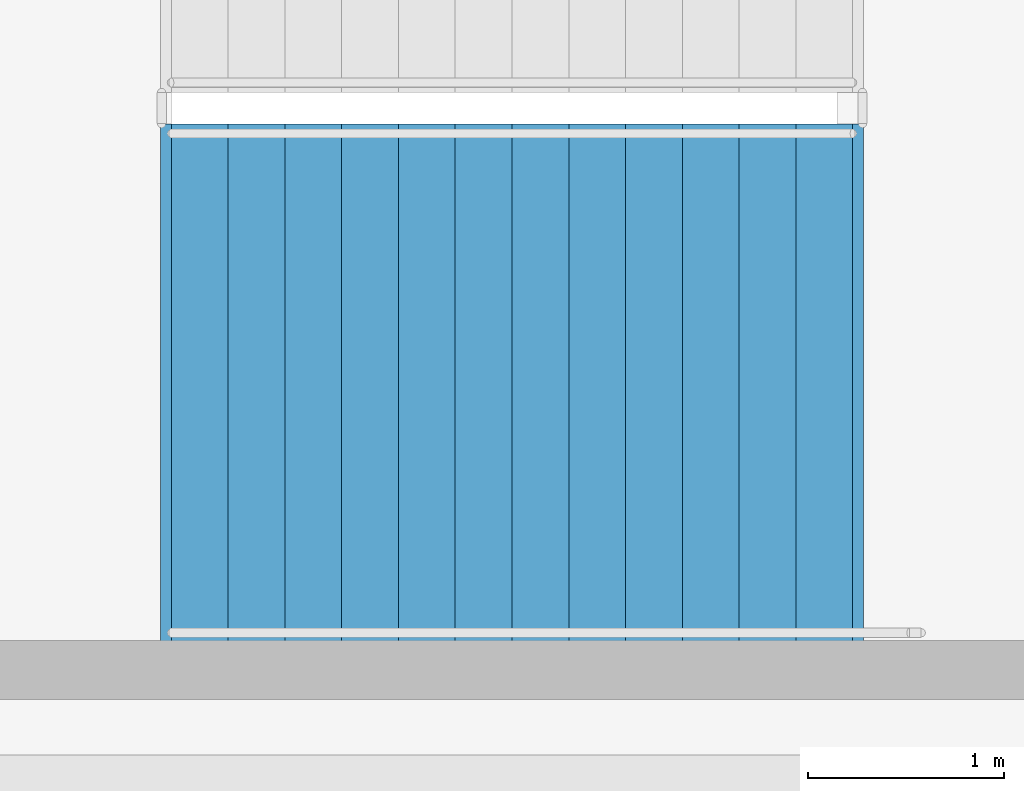
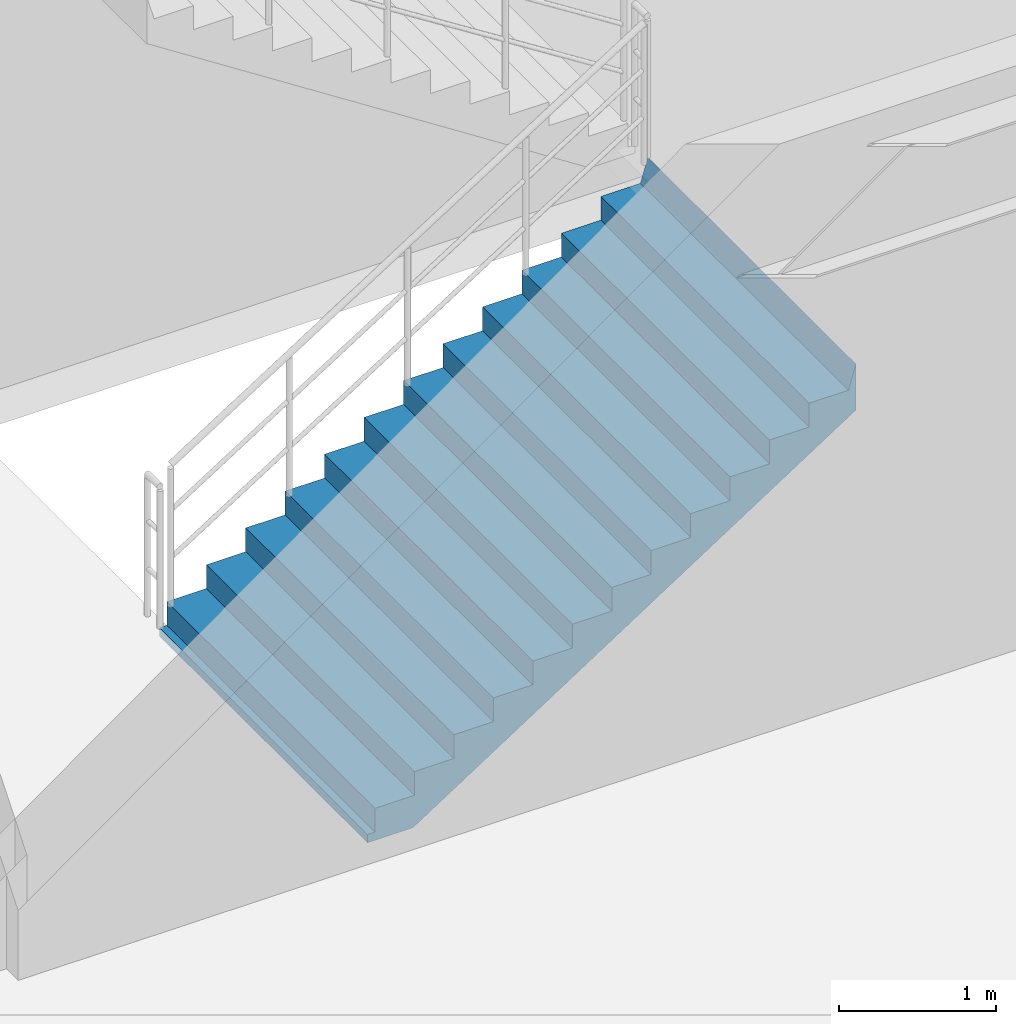
# One storey, part 128 of 144: 1 stair flight, 1 element without a shape of its own.
"""IFC4 building model written with IfcOpenShell, lengths in metres."""

from ifc_helpers import new_model, si_unit, direction, frame, origin, place, context, subcontext, project, spatial, polyline, outline, extrude, material, type_object, element, aggregate, save


model = new_model("IFC4")

# Units and contexts
model_context = context("Model", 3, precision=1e-05, world=origin(), true_north=direction((0.0, 1.0)))
body_context = subcontext(model_context, "Body", "Model", "MODEL_VIEW")
ifc_project = project(units=[si_unit("LENGTHUNIT", "METRE"), si_unit("AREAUNIT", "SQUARE_METRE"), si_unit("VOLUMEUNIT", "CUBIC_METRE"), si_unit("PLANEANGLEUNIT", "RADIAN"), si_unit("MASSUNIT", "GRAM", prefix="KILO")], contexts=[model_context])

# Site, building, storey
site_placement = place(None, origin())
site = spatial("IfcSite", under=ifc_project, at=site_placement, CompositionType="ELEMENT")
building_placement = place(site_placement, origin())
building = spatial("IfcBuilding", under=site, at=building_placement, Name="Cinderbank Siding Concert Hall", CompositionType="ELEMENT")
storey_placement = place(building_placement, frame((0.0, 0.0, 5.39990234375)))
storey = spatial("IfcBuildingStorey", under=building, at=storey_placement, Name="L02", CompositionType="ELEMENT", Elevation=5.39990234375)

# Stair, stair flight
ifc_material = material(Name="Reinforced concrete AS 3600 N50 (50 MPa)", Category="concrete")
stair_type = type_object("IfcStairType", Name="STR-A Dogleg Exit Stair 2650mm", PredefinedType="HALF_TURN_STAIR", material=ifc_material)
stair_placement = place(storey_placement, origin())
stair = element("IfcStair", 1, at=stair_placement, inside=storey, type_object=stair_type, Name="L02 Orchestral Pavilion Exit Stair ST-07", PredefinedType="HALF_TURN_STAIR")
stair_flight_type = type_object("IfcStairFlightType", Name="SFL-A Concrete Stair Flight 2650mm", PredefinedType="STRAIGHT", material=ifc_material)
stair_flight_placement = place(storey_placement, frame((155.14990234375, 112.52490234375, 0.0), z_axis=(0.0, 0.0, 1.0), x_axis=(1.0, 0.0, 0.0)))
stair_flight = element("IfcStairFlight", 2, at=stair_flight_placement, type_object=stair_flight_type, Name="ST-07 flight 1", NumberOfRisers=13, NumberOfTreads=12, PredefinedType="STRAIGHT", RiserHeight=0.184615385, TreadLength=0.29, context=body_context, shape_type="SweptSolid", body=[
    extrude(outline(polyline([(0.0, 0.0), (0.0, 0.1845703125), (0.2900390625, 0.1845703125), (0.2900390625, 0.369140625), (0.580078125, 0.369140625), (0.580078125, 0.553955078125), (0.8701171875, 0.553955078125), (0.8701171875, 0.738525390625), (1.159912109375, 0.738525390625), (1.159912109375, 0.923095703125), (1.449951171875, 0.923095703125), (1.449951171875, 1.107666015625), (1.739990234375, 1.107666015625), (1.739990234375, 1.292236328125), (2.030029296875, 1.292236328125), (2.030029296875, 1.476806640625), (2.320068359375, 1.476806640625), (2.320068359375, 1.66162109375), (2.610107421875, 1.66162109375), (2.610107421875, 1.84619140625), (2.89990234375, 1.84619140625), (2.89990234375, 2.03076171875), (3.18994140625, 2.03076171875), (3.18994140625, 2.21533203125), (3.47998046875, 2.21533203125), (3.534912109375, 2.39990234375), (3.534912109375, 2.03759765625), (3.53466796875, 2.037841796875), (3.53466796875, 2.0380859375), (3.53466796875, 2.038330078125), (3.53466796875, 2.03857421875), (3.53466796875, 2.038818359375), (3.53466796875, 2.0390625), (3.53466796875, 2.039306640625), (3.53466796875, 2.03955078125), (3.53466796875, 2.039794921875), (3.53466796875, 2.0400390625), (3.53466796875, 2.040283203125), (3.53466796875, 2.04052734375), (3.534423828125, 2.04052734375), (3.534423828125, 2.040283203125), (3.534423828125, 2.0400390625), (3.534423828125, 2.039794921875), (3.534423828125, 2.03955078125), (3.534423828125, 2.039306640625), (3.534423828125, 2.0390625), (3.534423828125, 2.038818359375), (3.534423828125, 2.03857421875), (3.534423828125, 2.038330078125), (3.534423828125, 2.0380859375), (3.534423828125, 2.037841796875), (3.534423828125, 2.03759765625), (3.5341796875, 2.037841796875), (3.5341796875, 2.0380859375), (3.5341796875, 2.038330078125), (3.5341796875, 2.03857421875), (3.5341796875, 2.038818359375), (3.5341796875, 2.0390625), (3.5341796875, 2.039306640625), (3.5341796875, 2.03955078125), (3.5341796875, 2.039794921875), (3.5341796875, 2.0400390625), (3.5341796875, 2.040283203125), (3.5341796875, 2.04052734375), (3.533935546875, 2.04052734375), (3.533935546875, 2.040283203125), (3.533935546875, 2.0400390625), (3.533935546875, 2.039794921875), (3.533935546875, 2.03955078125), (3.533935546875, 2.039306640625), (3.533935546875, 2.0390625), (3.533935546875, 2.038818359375), (3.533935546875, 2.03857421875), (3.533935546875, 2.038330078125), (3.533935546875, 2.0380859375), (3.533935546875, 2.037841796875), (3.533935546875, 2.03759765625), (3.53369140625, 2.037841796875), (3.53369140625, 2.0380859375), (3.53369140625, 2.038330078125), (3.53369140625, 2.03857421875), (3.53369140625, 2.038818359375), (3.53369140625, 2.0390625), (3.53369140625, 2.039306640625), (3.53369140625, 2.03955078125), (3.53369140625, 2.039794921875), (3.53369140625, 2.0400390625), (3.53369140625, 2.040283203125), (3.53369140625, 2.04052734375), (3.533447265625, 2.04052734375), (3.533447265625, 2.040283203125), (3.533447265625, 2.0400390625), (3.533447265625, 2.039794921875), (3.533447265625, 2.03955078125), (3.533447265625, 2.039306640625), (3.533447265625, 2.0390625), (3.533447265625, 2.038818359375), (3.533447265625, 2.03857421875), (3.533447265625, 2.038330078125), (3.533447265625, 2.0380859375), (3.533447265625, 2.037841796875), (3.533447265625, 2.03759765625), (3.533203125, 2.037841796875), (3.533203125, 2.0380859375), (3.533203125, 2.038330078125), (3.533203125, 2.03857421875), (3.533203125, 2.038818359375), (3.533203125, 2.0390625), (3.533203125, 2.039306640625), (3.533203125, 2.03955078125), (3.533203125, 2.039794921875), (3.533203125, 2.0400390625), (3.533203125, 2.040283203125), (3.533203125, 2.04052734375), (3.532958984375, 2.04052734375), (3.532958984375, 2.040283203125), (3.532958984375, 2.0400390625), (3.532958984375, 2.039794921875), (3.532958984375, 2.03955078125), (3.532958984375, 2.039306640625), (3.532958984375, 2.0390625), (3.532958984375, 2.038818359375), (3.532958984375, 2.03857421875), (3.532958984375, 2.038330078125), (3.532958984375, 2.0380859375), (3.532958984375, 2.037841796875), (3.532958984375, 2.03759765625), (3.53271484375, 2.037841796875), (3.53271484375, 2.0380859375), (3.53271484375, 2.038330078125), (3.53271484375, 2.03857421875), (3.53271484375, 2.038818359375), (3.53271484375, 2.0390625), (3.53271484375, 2.039306640625), (3.53271484375, 2.03955078125), (3.53271484375, 2.039794921875), (3.53271484375, 2.0400390625), (3.53271484375, 2.040283203125), (3.53271484375, 2.04052734375), (3.532470703125, 2.04052734375), (3.532470703125, 2.040283203125), (3.532470703125, 2.0400390625), (3.532470703125, 2.039794921875), (3.532470703125, 2.03955078125), (3.532470703125, 2.039306640625), (3.532470703125, 2.0390625), (3.532470703125, 2.038818359375), (3.532470703125, 2.03857421875), (3.532470703125, 2.038330078125), (3.532470703125, 2.0380859375), (3.532470703125, 2.037841796875), (3.532470703125, 2.03759765625), (3.5322265625, 2.037841796875), (3.5322265625, 2.0380859375), (3.5322265625, 2.038330078125), (3.5322265625, 2.03857421875), (3.5322265625, 2.038818359375), (3.5322265625, 2.0390625), (3.5322265625, 2.039306640625), (3.5322265625, 2.03955078125), (3.5322265625, 2.039794921875), (3.5322265625, 2.0400390625), (3.5322265625, 2.040283203125), (3.5322265625, 2.04052734375), (3.531982421875, 2.04052734375), (3.531982421875, 2.040283203125), (3.531982421875, 2.0400390625), (3.531982421875, 2.039794921875), (3.531982421875, 2.03955078125), (3.531982421875, 2.039306640625), (3.531982421875, 2.0390625), (3.531982421875, 2.038818359375), (3.531982421875, 2.03857421875), (3.531982421875, 2.038330078125), (3.531982421875, 2.0380859375), (3.531982421875, 2.037841796875), (3.531982421875, 2.03759765625), (3.53173828125, 2.037841796875), (3.53173828125, 2.0380859375), (3.53173828125, 2.038330078125), (3.53173828125, 2.03857421875), (3.53173828125, 2.038818359375), (3.53173828125, 2.0390625), (3.53173828125, 2.039306640625), (3.53173828125, 2.03955078125), (3.53173828125, 2.039794921875), (3.53173828125, 2.0400390625), (3.53173828125, 2.040283203125), (3.53173828125, 2.04052734375), (3.531494140625, 2.04052734375), (3.531494140625, 2.040283203125), (3.531494140625, 2.0400390625), (3.531494140625, 2.039794921875), (3.531494140625, 2.03955078125), (3.531494140625, 2.039306640625), (3.531494140625, 2.0390625), (3.531494140625, 2.038818359375), (3.531494140625, 2.03857421875), (3.531494140625, 2.038330078125), (3.531494140625, 2.0380859375), (3.531494140625, 2.037841796875), (3.531494140625, 2.03759765625), (3.53125, 2.037841796875), (3.53125, 2.0380859375), (3.53125, 2.038330078125), (3.53125, 2.03857421875), (3.53125, 2.038818359375), (3.53125, 2.0390625), (3.53125, 2.039306640625), (3.53125, 2.03955078125), (3.53125, 2.039794921875), (3.53125, 2.0400390625), (3.53125, 2.040283203125), (3.53125, 2.04052734375), (3.531005859375, 2.04052734375), (3.531005859375, 2.040283203125), (3.531005859375, 2.0400390625), (3.531005859375, 2.039794921875), (3.531005859375, 2.03955078125), (3.531005859375, 2.039306640625), (3.531005859375, 2.0390625), (3.531005859375, 2.038818359375), (3.531005859375, 2.03857421875), (3.531005859375, 2.038330078125), (3.531005859375, 2.0380859375), (3.531005859375, 2.037841796875), (3.531005859375, 2.03759765625), (3.53076171875, 2.037841796875), (3.53076171875, 2.0380859375), (3.53076171875, 2.038330078125), (3.53076171875, 2.03857421875), (3.53076171875, 2.038818359375), (3.53076171875, 2.0390625), (3.53076171875, 2.039306640625), (3.53076171875, 2.03955078125), (3.53076171875, 2.039794921875), (3.53076171875, 2.0400390625), (3.53076171875, 2.040283203125), (3.53076171875, 2.04052734375), (3.530517578125, 2.04052734375), (3.530517578125, 2.040283203125), (3.530517578125, 2.0400390625), (3.530517578125, 2.039794921875), (3.530517578125, 2.03955078125), (3.530517578125, 2.039306640625), (3.530517578125, 2.0390625), (3.530517578125, 2.038818359375), (3.530517578125, 2.03857421875), (3.530517578125, 2.038330078125), (3.530517578125, 2.0380859375), (3.530517578125, 2.037841796875), (3.530517578125, 2.03759765625), (3.5302734375, 2.037841796875), (3.5302734375, 2.0380859375), (3.5302734375, 2.038330078125), (3.5302734375, 2.03857421875), (3.5302734375, 2.038818359375), (3.5302734375, 2.0390625), (3.5302734375, 2.039306640625), (3.5302734375, 2.03955078125), (3.5302734375, 2.039794921875), (3.5302734375, 2.0400390625), (3.5302734375, 2.040283203125), (3.5302734375, 2.04052734375), (3.530029296875, 2.04052734375), (3.530029296875, 2.040283203125), (3.530029296875, 2.0400390625), (3.530029296875, 2.039794921875), (3.530029296875, 2.03955078125), (3.530029296875, 2.039306640625), (3.530029296875, 2.0390625), (3.530029296875, 2.038818359375), (3.530029296875, 2.03857421875), (3.530029296875, 2.038330078125), (3.530029296875, 2.0380859375), (3.530029296875, 2.037841796875), (3.530029296875, 2.03759765625), (3.52978515625, 2.037841796875), (3.52978515625, 2.0380859375), (3.52978515625, 2.038330078125), (3.52978515625, 2.03857421875), (3.52978515625, 2.038818359375), (3.52978515625, 2.0390625), (3.52978515625, 2.039306640625), (3.52978515625, 2.03955078125), (3.52978515625, 2.039794921875), (3.52978515625, 2.0400390625), (3.52978515625, 2.040283203125), (3.52978515625, 2.04052734375), (3.529541015625, 2.04052734375), (3.529541015625, 2.040283203125), (3.529541015625, 2.0400390625), (3.529541015625, 2.039794921875), (3.529541015625, 2.03955078125), (3.529541015625, 2.039306640625), (3.529541015625, 2.0390625), (3.529541015625, 2.038818359375), (3.529541015625, 2.03857421875), (3.529541015625, 2.038330078125), (3.529541015625, 2.0380859375), (3.529541015625, 2.037841796875), (3.529541015625, 2.03759765625), (3.529296875, 2.037841796875), (3.529296875, 2.0380859375), (3.529296875, 2.038330078125), (3.529296875, 2.03857421875), (3.529296875, 2.038818359375), (3.529296875, 2.0390625), (3.529296875, 2.039306640625), (3.529296875, 2.03955078125), (3.529296875, 2.039794921875), (3.529296875, 2.0400390625), (3.529296875, 2.040283203125), (3.529296875, 2.04052734375), (3.529052734375, 2.04052734375), (3.529052734375, 2.040283203125), (3.529052734375, 2.0400390625), (3.529052734375, 2.039794921875), (3.529052734375, 2.03955078125), (3.529052734375, 2.039306640625), (3.529052734375, 2.0390625), (3.529052734375, 2.038818359375), (3.529052734375, 2.03857421875), (3.529052734375, 2.038330078125), (3.529052734375, 2.0380859375), (3.529052734375, 2.037841796875), (3.529052734375, 2.03759765625), (3.52880859375, 2.037841796875), (3.52880859375, 2.0380859375), (3.52880859375, 2.038330078125), (3.52880859375, 2.03857421875), (3.52880859375, 2.038818359375), (3.52880859375, 2.0390625), (3.52880859375, 2.039306640625), (3.52880859375, 2.03955078125), (3.52880859375, 2.039794921875), (3.52880859375, 2.0400390625), (3.52880859375, 2.040283203125), (3.52880859375, 2.04052734375), (3.528564453125, 2.04052734375), (3.528564453125, 2.040283203125), (3.528564453125, 2.0400390625), (3.528564453125, 2.039794921875), (3.528564453125, 2.03955078125), (3.528564453125, 2.039306640625), (3.528564453125, 2.0390625), (3.528564453125, 2.038818359375), (3.528564453125, 2.03857421875), (3.528564453125, 2.038330078125), (3.528564453125, 2.0380859375), (3.528564453125, 2.037841796875), (3.528564453125, 2.03759765625), (0.279052734375, -0.06396484375), (-0.048583984375, -0.063720703125), (-0.048583984375, -0.0634765625), (-0.048583984375, -0.063232421875), (-0.048583984375, -0.06298828125), (-0.048583984375, -0.062744140625), (-0.048583984375, -0.0625), (-0.048583984375, -0.062255859375), (-0.048583984375, -0.06201171875), (-0.048583984375, -0.061767578125), (-0.048583984375, -0.0615234375), (-0.048583984375, -0.061279296875), (-0.048583984375, -0.06103515625), (-0.048828125, -0.06103515625), (-0.048828125, -0.061279296875), (-0.048828125, -0.0615234375), (-0.048828125, -0.061767578125), (-0.048828125, -0.06201171875), (-0.048828125, -0.062255859375), (-0.048828125, -0.0625), (-0.048828125, -0.062744140625), (-0.048828125, -0.06298828125), (-0.048828125, -0.063232421875), (-0.048828125, -0.0634765625), (-0.048828125, -0.063720703125), (-0.048828125, -0.06396484375), (-0.049072265625, -0.063720703125), (-0.049072265625, -0.0634765625), (-0.049072265625, -0.063232421875), (-0.049072265625, -0.06298828125), (-0.049072265625, -0.062744140625), (-0.049072265625, -0.0625), (-0.049072265625, -0.062255859375), (-0.049072265625, -0.06201171875), (-0.049072265625, -0.061767578125), (-0.049072265625, -0.0615234375), (-0.049072265625, -0.061279296875), (-0.049072265625, -0.06103515625), (-0.04931640625, -0.06103515625), (-0.04931640625, -0.061279296875), (-0.04931640625, -0.0615234375), (-0.04931640625, -0.061767578125), (-0.04931640625, -0.06201171875), (-0.04931640625, -0.062255859375), (-0.04931640625, -0.0625), (-0.04931640625, -0.062744140625), (-0.04931640625, -0.06298828125), (-0.04931640625, -0.063232421875), (-0.04931640625, -0.0634765625), (-0.04931640625, -0.063720703125), (-0.04931640625, -0.06396484375), (-0.049560546875, -0.063720703125), (-0.049560546875, -0.0634765625), (-0.049560546875, -0.063232421875), (-0.049560546875, -0.06298828125), (-0.049560546875, -0.062744140625), (-0.049560546875, -0.0625), (-0.049560546875, -0.062255859375), (-0.049560546875, -0.06201171875), (-0.049560546875, -0.061767578125), (-0.049560546875, -0.0615234375), (-0.049560546875, -0.061279296875), (-0.049560546875, -0.06103515625), (-0.0498046875, -0.06103515625), (-0.0498046875, -0.061279296875), (-0.0498046875, -0.0615234375), (-0.0498046875, -0.061767578125), (-0.0498046875, -0.06201171875), (-0.0498046875, -0.062255859375), (-0.0498046875, -0.0625), (-0.0498046875, -0.062744140625), (-0.0498046875, -0.06298828125), (-0.0498046875, -0.063232421875), (-0.0498046875, -0.0634765625), (-0.0498046875, -0.063720703125), (-0.0498046875, -0.06396484375), (-0.050048828125, -0.063720703125), (-0.050048828125, -0.0634765625), (-0.050048828125, -0.063232421875), (-0.050048828125, -0.06298828125), (-0.050048828125, -0.062744140625), (-0.050048828125, -0.0625), (-0.050048828125, -0.062255859375), (-0.050048828125, -0.06201171875), (-0.050048828125, -0.061767578125), (-0.050048828125, -0.0615234375), (-0.050048828125, -0.061279296875), (-0.050048828125, -0.06103515625), (-0.05029296875, -0.06103515625), (-0.05029296875, -0.061279296875), (-0.05029296875, -0.0615234375), (-0.05029296875, -0.061767578125), (-0.05029296875, -0.06201171875), (-0.05029296875, -0.062255859375), (-0.05029296875, -0.0625), (-0.05029296875, -0.062744140625), (-0.05029296875, -0.06298828125), (-0.05029296875, -0.063232421875), (-0.05029296875, -0.0634765625), (-0.05029296875, -0.063720703125), (-0.05029296875, -0.06396484375), (-0.050537109375, -0.063720703125), (-0.050537109375, -0.0634765625), (-0.050537109375, -0.063232421875), (-0.050537109375, -0.06298828125), (-0.050537109375, -0.062744140625), (-0.050537109375, -0.0625), (-0.050537109375, -0.062255859375), (-0.050537109375, -0.06201171875), (-0.050537109375, -0.061767578125), (-0.050537109375, -0.0615234375), (-0.050537109375, -0.061279296875), (-0.050537109375, -0.06103515625), (-0.05078125, -0.06103515625), (-0.05078125, -0.061279296875), (-0.05078125, -0.0615234375), (-0.05078125, -0.061767578125), (-0.05078125, -0.06201171875), (-0.05078125, -0.062255859375), (-0.05078125, -0.0625), (-0.05078125, -0.062744140625), (-0.05078125, -0.06298828125), (-0.05078125, -0.063232421875), (-0.05078125, -0.0634765625), (-0.05078125, -0.063720703125), (-0.05078125, -0.06396484375), (-0.051025390625, -0.063720703125), (-0.051025390625, -0.0634765625), (-0.051025390625, -0.063232421875), (-0.051025390625, -0.06298828125), (-0.051025390625, -0.062744140625), (-0.051025390625, -0.0625), (-0.051025390625, -0.062255859375), (-0.051025390625, -0.06201171875), (-0.051025390625, -0.061767578125), (-0.051025390625, -0.0615234375), (-0.051025390625, -0.061279296875), (-0.051025390625, -0.06103515625), (-0.05126953125, -0.06103515625), (-0.05126953125, -0.061279296875), (-0.05126953125, -0.0615234375), (-0.05126953125, -0.061767578125), (-0.05126953125, -0.06201171875), (-0.05126953125, -0.062255859375), (-0.05126953125, -0.0625), (-0.05126953125, -0.062744140625), (-0.05126953125, -0.06298828125), (-0.05126953125, -0.063232421875), (-0.05126953125, -0.0634765625), (-0.05126953125, -0.063720703125), (-0.05126953125, -0.06396484375), (-0.051513671875, -0.063720703125), (-0.051513671875, -0.0634765625), (-0.051513671875, -0.063232421875), (-0.051513671875, -0.06298828125), (-0.051513671875, -0.062744140625), (-0.051513671875, -0.0625), (-0.051513671875, -0.062255859375), (-0.051513671875, -0.06201171875), (-0.051513671875, -0.061767578125), (-0.051513671875, -0.0615234375), (-0.051513671875, -0.061279296875), (-0.051513671875, -0.06103515625), (-0.0517578125, -0.06103515625), (-0.0517578125, -0.061279296875), (-0.0517578125, -0.0615234375), (-0.0517578125, -0.061767578125), (-0.0517578125, -0.06201171875), (-0.0517578125, -0.062255859375), (-0.0517578125, -0.0625), (-0.0517578125, -0.062744140625), (-0.0517578125, -0.06298828125), (-0.0517578125, -0.063232421875), (-0.0517578125, -0.0634765625), (-0.0517578125, -0.063720703125), (-0.0517578125, -0.06396484375), (-0.052001953125, -0.063720703125), (-0.052001953125, -0.0634765625), (-0.052001953125, -0.063232421875), (-0.052001953125, -0.06298828125), (-0.052001953125, -0.062744140625), (-0.052001953125, -0.0625), (-0.052001953125, -0.062255859375), (-0.052001953125, -0.06201171875), (-0.052001953125, -0.061767578125), (-0.052001953125, -0.0615234375), (-0.052001953125, -0.061279296875), (-0.052001953125, -0.06103515625), (-0.05224609375, -0.06103515625), (-0.05224609375, -0.061279296875), (-0.05224609375, -0.0615234375), (-0.05224609375, -0.061767578125), (-0.05224609375, -0.06201171875), (-0.05224609375, -0.062255859375), (-0.05224609375, -0.0625), (-0.05224609375, -0.062744140625), (-0.05224609375, -0.06298828125), (-0.05224609375, -0.063232421875), (-0.05224609375, -0.0634765625), (-0.05224609375, -0.063720703125), (-0.05224609375, -0.06396484375), (-0.052490234375, -0.063720703125), (-0.052490234375, -0.0634765625), (-0.052490234375, -0.063232421875), (-0.052490234375, -0.06298828125), (-0.052490234375, -0.062744140625), (-0.052490234375, -0.0625), (-0.052490234375, -0.062255859375), (-0.052490234375, -0.06201171875), (-0.052490234375, -0.061767578125), (-0.052490234375, -0.0615234375), (-0.052490234375, -0.061279296875), (-0.052490234375, -0.06103515625), (-0.052734375, -0.06103515625), (-0.052734375, -0.061279296875), (-0.052734375, -0.0615234375), (-0.052734375, -0.061767578125), (-0.052734375, -0.06201171875), (-0.052734375, -0.062255859375), (-0.052734375, -0.0625), (-0.052734375, -0.062744140625), (-0.052734375, -0.06298828125), (-0.052734375, -0.063232421875), (-0.052734375, -0.0634765625), (-0.052734375, -0.063720703125), (-0.052734375, -0.06396484375), (-0.052978515625, -0.063720703125), (-0.052978515625, -0.0634765625), (-0.052978515625, -0.063232421875), (-0.052978515625, -0.06298828125), (-0.052978515625, -0.062744140625), (-0.052978515625, -0.0625), (-0.052978515625, -0.062255859375), (-0.052978515625, -0.06201171875), (-0.052978515625, -0.061767578125), (-0.052978515625, -0.0615234375), (-0.052978515625, -0.061279296875), (-0.052978515625, -0.06103515625), (-0.05322265625, -0.06103515625), (-0.05322265625, -0.061279296875), (-0.05322265625, -0.0615234375), (-0.05322265625, -0.061767578125), (-0.05322265625, -0.06201171875), (-0.05322265625, -0.062255859375), (-0.05322265625, -0.0625), (-0.05322265625, -0.062744140625), (-0.05322265625, -0.06298828125), (-0.05322265625, -0.063232421875), (-0.05322265625, -0.0634765625), (-0.05322265625, -0.063720703125), (-0.05322265625, -0.06396484375), (-0.053466796875, -0.063720703125), (-0.053466796875, -0.0634765625), (-0.053466796875, -0.063232421875), (-0.053466796875, -0.06298828125), (-0.053466796875, -0.062744140625), (-0.053466796875, -0.0625), (-0.053466796875, -0.062255859375), (-0.053466796875, -0.06201171875), (-0.053466796875, -0.061767578125), (-0.053466796875, -0.0615234375), (-0.053466796875, -0.061279296875), (-0.053466796875, -0.06103515625), (-0.0537109375, -0.06103515625), (-0.0537109375, -0.061279296875), (-0.0537109375, -0.0615234375), (-0.0537109375, -0.061767578125), (-0.0537109375, -0.06201171875), (-0.0537109375, -0.062255859375), (-0.0537109375, -0.0625), (-0.0537109375, -0.062744140625), (-0.0537109375, -0.06298828125), (-0.0537109375, -0.063232421875), (-0.0537109375, -0.0634765625), (-0.0537109375, -0.063720703125), (-0.0537109375, -0.06396484375), (-0.053955078125, -0.063720703125), (-0.053955078125, -0.0634765625), (-0.053955078125, -0.063232421875), (-0.053955078125, -0.06298828125), (-0.053955078125, -0.062744140625), (-0.053955078125, -0.0625), (-0.053955078125, -0.062255859375), (-0.053955078125, -0.06201171875), (-0.053955078125, -0.061767578125), (-0.053955078125, -0.0615234375), (-0.053955078125, -0.061279296875), (-0.053955078125, -0.06103515625), (-0.05419921875, -0.06103515625), (-0.05419921875, -0.061279296875), (-0.05419921875, -0.0615234375), (-0.05419921875, -0.061767578125), (-0.05419921875, -0.06201171875), (-0.05419921875, -0.062255859375), (-0.05419921875, -0.0625), (-0.05419921875, -0.062744140625), (-0.05419921875, -0.06298828125), (-0.05419921875, -0.063232421875), (-0.05419921875, -0.0634765625), (-0.05419921875, -0.063720703125), (-0.05419921875, -0.06396484375), (-0.054443359375, -0.063720703125), (-0.054443359375, -0.0634765625), (-0.054443359375, -0.063232421875), (-0.054443359375, -0.06298828125), (-0.054443359375, -0.062744140625), (-0.054443359375, -0.0625), (-0.054443359375, -0.062255859375), (-0.054443359375, -0.06201171875), (-0.054443359375, -0.061767578125), (-0.054443359375, -0.0615234375), (-0.054443359375, -0.061279296875), (-0.054443359375, -0.06103515625), (-0.0546875, -0.06103515625), (-0.0546875, -0.061279296875), (-0.0546875, -0.0615234375), (-0.0546875, -0.061767578125), (-0.0546875, -0.06201171875), (-0.0546875, -0.062255859375), (-0.0546875, -0.0625), (-0.0546875, -0.062744140625), (-0.0546875, -0.06298828125), (-0.0546875, -0.063232421875), (-0.0546875, -0.0634765625), (-0.0546875, -0.063720703125), (-0.0546875, -0.06396484375), (-0.054931640625, -0.06396484375), (-0.054931640625, 0.0), (0.0, 0.0)])), frame((0.0, 1.324951171875, 0.0), z_axis=(0.0, -1.0, 0.0), x_axis=(1.0, 0.0, 0.0)), (0.0, 0.0, 1.0), 2.64990234375),
])
aggregate(stair, [stair_flight])

save(model, "model.ifc")
